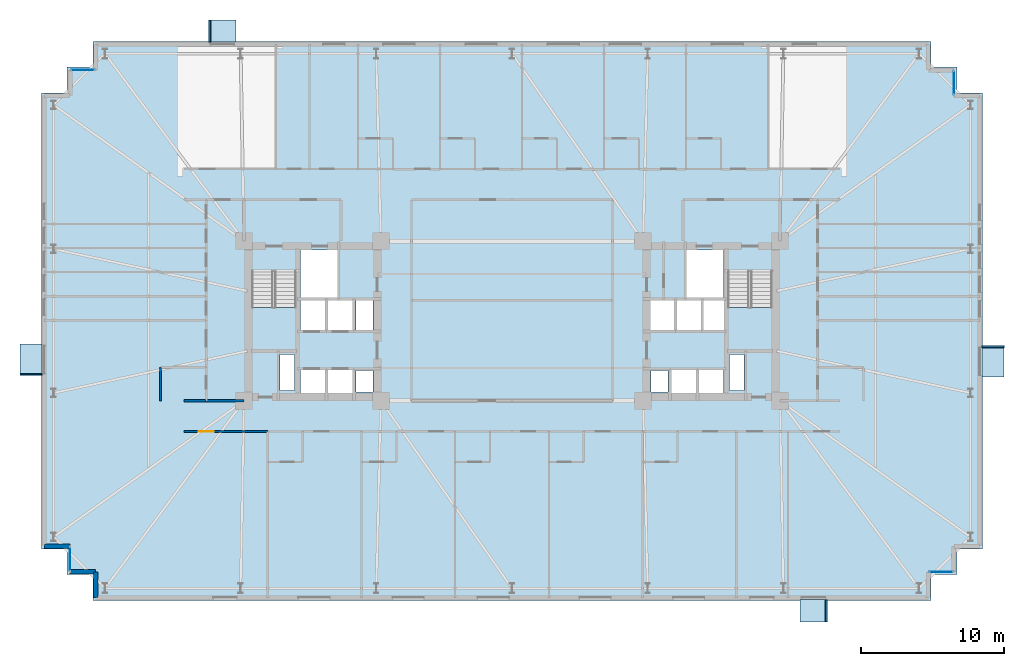
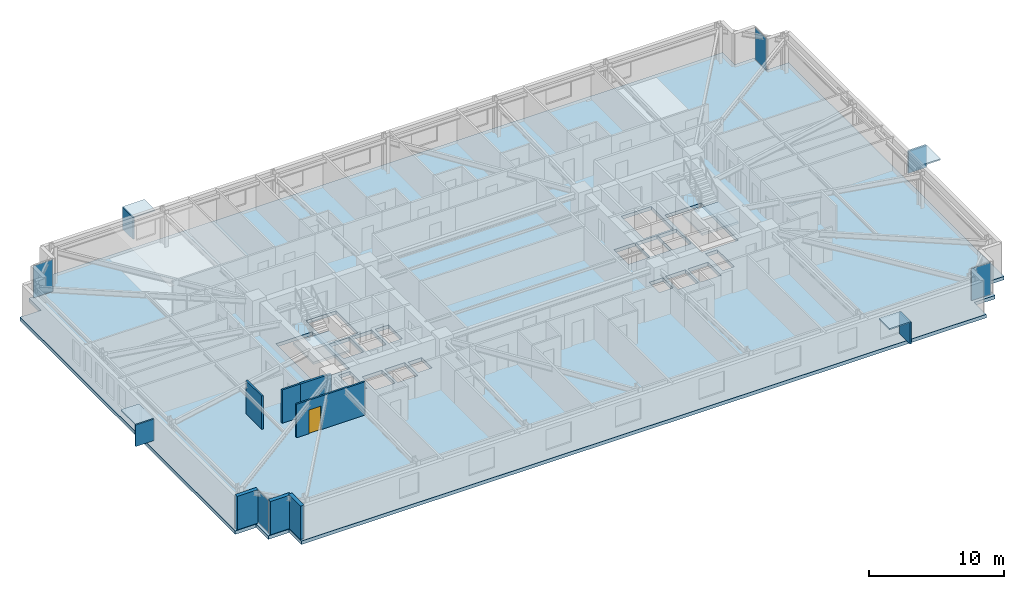
# One storey, part 13 of 22: 12 plates, 7 walls, 3 slabs, 1 door, 1 opening, 6 elements without a shape of their own.
"""IFC4 building model written with IfcOpenShell, lengths in metres."""

from ifc_helpers import new_model, si_unit, direction, frame, frame_2d, origin, origin_2d, place, context, subcontext, project, spatial, polyline, rectangle, outline, extrude, material, layer, layer_set, type_object, element, fill, aggregate, save


model = new_model("IFC4")

# Units and contexts
model_context = context("Model", 3, precision=1e-05, world=origin(), true_north=direction((0.0, 1.0)))
body_context = subcontext(model_context, "Body", "Model", "MODEL_VIEW")
ifc_project = project(units=[si_unit("LENGTHUNIT", "METRE"), si_unit("AREAUNIT", "SQUARE_METRE"), si_unit("VOLUMEUNIT", "CUBIC_METRE"), si_unit("PLANEANGLEUNIT", "RADIAN"), si_unit("MASSUNIT", "GRAM", prefix="KILO")], contexts=[model_context])

# Site, building, storey
site_placement = place(None, origin())
site = spatial("IfcSite", under=ifc_project, at=site_placement, CompositionType="ELEMENT")
building_placement = place(site_placement, origin())
building = spatial("IfcBuilding", under=site, at=building_placement, Name="Qobustan Lattice House", CompositionType="ELEMENT")
storey_placement = place(building_placement, frame((0.0, 0.0, 53.800048828125)))
storey = spatial("IfcBuildingStorey", under=building, at=storey_placement, Name="L14", CompositionType="ELEMENT", Elevation=53.800048828125)

# Curtain wall, plate
ifc_material_1 = material(Name="Anodised aluminium and low-E glazing", Category="aluminium")
ifc_layer_1 = layer(ifc_material_1, 0.219970703125)
ifc_layer_set_1 = layer_set([ifc_layer_1], Name="Anodised aluminium and low-E glazing")
curtain_wall_type = type_object("IfcCurtainWallType", Name="CW-FAC-01", PredefinedType="USERDEFINED", material=ifc_layer_set_1)
curtain_wall_1_placement = place(storey_placement, origin())
curtain_wall_1 = element("IfcCurtainWall", 1, at=curtain_wall_1_placement, inside=storey, type_object=curtain_wall_type, Name="L14 serrated corner faceted glazing 3", ObjectType="CURTAIN WALL", PredefinedType="USERDEFINED")
ifc_material_2 = material(Name="Clear low-E laminated glass", Category="glass")
ifc_layer_2 = layer(ifc_material_2, 0.031982421875)
ifc_layer_set_2 = layer_set([ifc_layer_2], Name="Clear low-E laminated glass")
plate_type_1 = type_object("IfcPlateType", Name="CWP-VISION-32", PredefinedType="CURTAIN_PANEL", material=ifc_layer_set_2)
plate_1_placement = place(storey_placement, frame((-31.0, -16.699951171875, 0.06494140625), z_axis=(0.0, 0.0, 1.0), x_axis=(0.0, 1.0, 0.0)))
plate_1 = element("IfcPlate", 2, at=plate_1_placement, type_object=plate_type_1, Name="CW-F1 panel 1.1", PredefinedType="CURTAIN_PANEL", context=body_context, shape_type="SweptSolid", body=[
    extrude(rectangle(XDim=1.659912109375, YDim=0.031982421875, at=origin_2d()), origin(), (0.0, 0.0, 1.0), 2.905029296875),
])
aggregate(curtain_wall_1, [plate_1])

curtain_wall_2_placement = place(storey_placement, origin())
curtain_wall_2 = element("IfcCurtainWall", 3, at=curtain_wall_2_placement, inside=storey, type_object=curtain_wall_type, Name="L14 serrated corner faceted glazing 8", ObjectType="CURTAIN WALL", PredefinedType="USERDEFINED")
plate_2_placement = place(storey_placement, frame((-30.10009765625, 17.60009765625, 0.06494140625), z_axis=(0.0, 0.0, 1.0), x_axis=(1.0, 0.0, 0.0)))
plate_2 = element("IfcPlate", 4, at=plate_2_placement, type_object=plate_type_1, Name="CW-F1 panel 1.1", PredefinedType="CURTAIN_PANEL", context=body_context, shape_type="SweptSolid", body=[
    extrude(rectangle(XDim=1.659912109375, YDim=0.031982421875, at=origin_2d()), origin(), (0.0, 0.0, 1.0), 2.905029296875),
])
aggregate(curtain_wall_2, [plate_2])

curtain_wall_3_placement = place(storey_placement, origin())
curtain_wall_3 = element("IfcCurtainWall", 5, at=curtain_wall_3_placement, inside=storey, type_object=curtain_wall_type, Name="L14 serrated corner faceted glazing 13", ObjectType="CURTAIN WALL", PredefinedType="USERDEFINED")
plate_3_placement = place(storey_placement, frame((31.0, 16.699951171875, 0.06494140625), z_axis=(0.0, 0.0, 1.0), x_axis=(0.0, -1.0, 0.0)))
plate_3 = element("IfcPlate", 6, at=plate_3_placement, type_object=plate_type_1, Name="CW-F1 panel 1.1", PredefinedType="CURTAIN_PANEL", context=body_context, shape_type="SweptSolid", body=[
    extrude(rectangle(XDim=1.659912109375, YDim=0.031982421875, at=origin_2d()), origin(), (0.0, 0.0, 1.0), 2.905029296875),
])
aggregate(curtain_wall_3, [plate_3])

curtain_wall_4_placement = place(storey_placement, origin())
curtain_wall_4 = element("IfcCurtainWall", 7, at=curtain_wall_4_placement, inside=storey, type_object=curtain_wall_type, Name="L14 serrated corner faceted glazing 18", ObjectType="CURTAIN WALL", PredefinedType="USERDEFINED")
plate_4_placement = place(storey_placement, frame((30.10009765625, -17.60009765625, 0.06494140625), z_axis=(0.0, 0.0, 1.0), x_axis=(-1.0, 0.0, 0.0)))
plate_4 = element("IfcPlate", 8, at=plate_4_placement, type_object=plate_type_1, Name="CW-F1 panel 1.1", PredefinedType="CURTAIN_PANEL", context=body_context, shape_type="SweptSolid", body=[
    extrude(rectangle(XDim=1.659912109375, YDim=0.031982421875, at=origin_2d()), origin(), (0.0, 0.0, 1.0), 2.905029296875),
])
aggregate(curtain_wall_4, [plate_4])

# Plates
ifc_material_3 = material(Name="Qobustan limestone GFRC", Category="masonry")
ifc_layer_3 = layer(ifc_material_3, 0.1201171875)
ifc_layer_set_3 = layer_set([ifc_layer_3], Name="Qobustan limestone GFRC")
plate_type_2 = type_object("IfcPlateType", Name="SHD-HOOD-BROW", PredefinedType="USERDEFINED", material=ifc_layer_set_3)
plate_5_placement = place(storey_placement, frame((-33.72998046875, -2.719970703125, 2.699951171875), z_axis=(0.0, 0.0, 1.0), x_axis=(0.0, 1.0, 0.0)))
element("IfcPlate", 9, at=plate_5_placement, inside=storey, type_object=plate_type_2, Name="L14 splayed Qobustan stone hood brow", ObjectType="SUNSHADE", PredefinedType="USERDEFINED", context=body_context, shape_type="SweptSolid", body=[
    extrude(rectangle(XDim=2.18994140625, YDim=1.56005859375, at=origin_2d()), origin(), (0.0, 0.0, 1.0), 0.1201171875),
])
plate_6_placement = place(storey_placement, frame((-33.72998046875, -3.7548828125, 0.7900390625), z_axis=(0.0, 0.0, 1.0), x_axis=(0.0, 1.0, 0.0)))
element("IfcPlate", 10, at=plate_6_placement, inside=storey, type_object=plate_type_2, Name="L14 splayed Qobustan stone hood cheek", ObjectType="SUNSHADE", PredefinedType="USERDEFINED", context=body_context, shape_type="SweptSolid", body=[
    extrude(rectangle(XDim=0.1201171875, YDim=1.56005859375, at=origin_2d()), origin(), (0.0, 0.0, 1.0), 1.969970703125),
])
plate_7_placement = place(storey_placement, frame((-20.3095703125, 20.330078125, 2.699951171875), z_axis=(0.0, 0.0, 1.0), x_axis=(1.0, 0.0, 0.0)))
element("IfcPlate", 11, at=plate_7_placement, inside=storey, type_object=plate_type_2, Name="L14 splayed Qobustan stone hood brow", ObjectType="SUNSHADE", PredefinedType="USERDEFINED", context=body_context, shape_type="SweptSolid", body=[
    extrude(rectangle(XDim=1.889892578125, YDim=1.56005859375, at=origin_2d()), origin(), (0.0, 0.0, 1.0), 0.1201171875),
])
plate_8_placement = place(storey_placement, frame((-21.194580078125, 20.330078125, 0.7900390625), z_axis=(0.0, 0.0, 1.0), x_axis=(1.0, 0.0, 0.0)))
element("IfcPlate", 12, at=plate_8_placement, inside=storey, type_object=plate_type_2, Name="L14 splayed Qobustan stone hood cheek", ObjectType="SUNSHADE", PredefinedType="USERDEFINED", context=body_context, shape_type="SweptSolid", body=[
    extrude(rectangle(XDim=0.1201171875, YDim=1.56005859375, at=origin_2d()), origin(), (0.0, 0.0, 1.0), 1.969970703125),
])
plate_9_placement = place(storey_placement, frame((33.72998046875, -2.840087890625, 2.699951171875), z_axis=(0.0, 0.0, 1.0), x_axis=(0.0, -1.0, 0.0)))
element("IfcPlate", 13, at=plate_9_placement, inside=storey, type_object=plate_type_2, Name="L14 splayed Qobustan stone hood brow", ObjectType="SUNSHADE", PredefinedType="USERDEFINED", context=body_context, shape_type="SweptSolid", body=[
    extrude(rectangle(XDim=2.18994140625, YDim=1.56005859375, at=origin_2d()), origin(), (0.0, 0.0, 1.0), 0.1201171875),
])
plate_10_placement = place(storey_placement, frame((33.72998046875, -1.804931640625, 0.7900390625), z_axis=(0.0, 0.0, 1.0), x_axis=(0.0, -1.0, 0.0)))
element("IfcPlate", 14, at=plate_10_placement, inside=storey, type_object=plate_type_2, Name="L14 splayed Qobustan stone hood cheek", ObjectType="SUNSHADE", PredefinedType="USERDEFINED", context=body_context, shape_type="SweptSolid", body=[
    extrude(rectangle(XDim=0.1201171875, YDim=1.56005859375, at=origin_2d()), origin(), (0.0, 0.0, 1.0), 1.969970703125),
])
plate_11_placement = place(storey_placement, frame((21.159912109375, -20.330078125, 2.699951171875), z_axis=(0.0, 0.0, 1.0), x_axis=(-1.0, 0.0, 0.0)))
element("IfcPlate", 15, at=plate_11_placement, inside=storey, type_object=plate_type_2, Name="L14 splayed Qobustan stone hood brow", ObjectType="SUNSHADE", PredefinedType="USERDEFINED", context=body_context, shape_type="SweptSolid", body=[
    extrude(rectangle(XDim=1.889892578125, YDim=1.56005859375, at=origin_2d()), origin(), (0.0, 0.0, 1.0), 0.1201171875),
])
plate_12_placement = place(storey_placement, frame((22.044921875, -20.330078125, 0.7900390625), z_axis=(0.0, 0.0, 1.0), x_axis=(-1.0, 0.0, 0.0)))
element("IfcPlate", 16, at=plate_12_placement, inside=storey, type_object=plate_type_2, Name="L14 splayed Qobustan stone hood cheek", ObjectType="SUNSHADE", PredefinedType="USERDEFINED", context=body_context, shape_type="SweptSolid", body=[
    extrude(rectangle(XDim=0.1201171875, YDim=1.56005859375, at=origin_2d()), origin(), (0.0, 0.0, 1.0), 1.969970703125),
])

# Slab
ifc_material_4 = material(Name="Concrete C40/50", Category="concrete")
ifc_layer_4 = layer(ifc_material_4, 0.31494140625)
ifc_layer_set_4 = layer_set([ifc_layer_4], Name="Concrete C40/50")
slab_type_1 = type_object("IfcSlabType", Name="SLB-FLR-315", PredefinedType="FLOOR", material=ifc_layer_set_4)
slab_1_placement = place(storey_placement, frame((0.0, 0.0, -0.31494140625)))
element("IfcSlab", 17, at=slab_1_placement, inside=storey, type_object=slab_type_1, Name="L14 structural floor slab", PredefinedType="FLOOR", context=body_context, shape_type="SweptSolid", body=[
    extrude(outline(polyline([(-29.39990234375, -19.60009765625), (29.39990234375, -19.60009765625), (29.39990234375, -17.800048828125), (31.199951171875, -17.800048828125), (31.199951171875, -16.0), (33.0, -16.0), (33.0, 16.0), (31.199951171875, 16.0), (31.199951171875, 17.800048828125), (29.39990234375, 17.800048828125), (29.39990234375, 19.60009765625), (-29.39990234375, 19.60009765625), (-29.39990234375, 17.800048828125), (-31.199951171875, 17.800048828125), (-31.199951171875, 16.0), (-33.0, 16.0), (-33.0, -16.0), (-31.199951171875, -16.0), (-31.199951171875, -17.800048828125), (-29.39990234375, -17.800048828125), (-29.39990234375, -19.60009765625)]), holes=[polyline([(-18.25, -2.050048828125), (-18.25, 3.489990234375), (-15.1298828125, 3.489990234375), (-15.1298828125, -2.050048828125), (-18.25, -2.050048828125)]), polyline([(15.1298828125, -2.050048828125), (15.1298828125, 3.489990234375), (18.25, 3.489990234375), (18.25, -2.050048828125), (15.1298828125, -2.050048828125)]), polyline([(-14.820068359375, 1.64990234375), (-14.820068359375, 4.9599609375), (-12.25, 4.9599609375), (-12.25, 1.64990234375), (-14.820068359375, 1.64990234375)]), polyline([(12.25, 1.64990234375), (12.25, 4.9599609375), (14.820068359375, 4.9599609375), (14.820068359375, 1.64990234375), (12.25, 1.64990234375)]), polyline([(-16.260009765625, -4.8798828125), (-16.260009765625, -2.360107421875), (-15.260009765625, -2.360107421875), (-15.260009765625, -4.8798828125), (-16.260009765625, -4.8798828125)]), polyline([(15.260009765625, -4.8798828125), (15.260009765625, -2.360107421875), (16.260009765625, -2.360107421875), (16.260009765625, -4.8798828125), (15.260009765625, -4.8798828125)]), polyline([(-14.85009765625, -5.35009765625), (-14.85009765625, -3.419921875), (-13.1201171875, -3.419921875), (-13.1201171875, -5.35009765625), (-14.85009765625, -5.35009765625)]), polyline([(-12.919921875, -5.35009765625), (-12.919921875, -3.419921875), (-11.179931640625, -3.419921875), (-11.179931640625, -5.35009765625), (-12.919921875, -5.35009765625)]), polyline([(-14.85009765625, -0.679931640625), (-14.85009765625, 1.47998046875), (-13.1201171875, 1.47998046875), (-13.1201171875, -0.679931640625), (-14.85009765625, -0.679931640625)]), polyline([(-12.919921875, -0.679931640625), (-12.919921875, 1.47998046875), (-11.179931640625, 1.47998046875), (-11.179931640625, -0.679931640625), (-12.919921875, -0.679931640625)]), polyline([(-10.93994140625, -5.0), (-10.93994140625, -3.47998046875), (-9.760009765625, -3.47998046875), (-9.760009765625, -5.0), (-10.93994140625, -5.0)]), polyline([(-10.93994140625, -0.6201171875), (-10.93994140625, 1.419921875), (-9.760009765625, 1.419921875), (-9.760009765625, -0.6201171875), (-10.93994140625, -0.6201171875)]), polyline([(11.179931640625, -5.35009765625), (11.179931640625, -3.419921875), (12.919921875, -3.419921875), (12.919921875, -5.35009765625), (11.179931640625, -5.35009765625)]), polyline([(13.1201171875, -5.35009765625), (13.1201171875, -3.419921875), (14.85009765625, -3.419921875), (14.85009765625, -5.35009765625), (13.1201171875, -5.35009765625)]), polyline([(9.760009765625, -5.0), (9.760009765625, -3.47998046875), (10.93994140625, -3.47998046875), (10.93994140625, -5.0), (9.760009765625, -5.0)]), polyline([(13.360107421875, -0.679931640625), (13.360107421875, 1.47998046875), (14.97998046875, 1.47998046875), (14.97998046875, -0.679931640625), (13.360107421875, -0.679931640625)]), polyline([(9.6201171875, -0.679931640625), (9.6201171875, 1.47998046875), (11.43994140625, 1.47998046875), (11.43994140625, -0.679931640625), (9.6201171875, -0.679931640625)]), polyline([(11.5, -0.679931640625), (11.5, 1.47998046875), (13.320068359375, 1.47998046875), (13.320068359375, -0.679931640625), (11.5, -0.679931640625)])]), origin(), (0.0, 0.0, 1.0), 0.31494140625),
])

# Stair, slab
ifc_material_5 = material(Name="Concrete C40/50", Category="concrete")
stair_type = type_object("IfcStairType", Name="STR-CORE-DOGLEG", PredefinedType="HALF_TURN_STAIR", material=ifc_material_5)
stair_1_placement = place(storey_placement, origin())
stair_1 = element("IfcStair", 18, at=stair_1_placement, inside=storey, type_object=stair_type, Name="L14 West protected exit stair ST-W1", PredefinedType="HALF_TURN_STAIR")
ifc_material_6 = material(Name="Concrete C40/50", Category="concrete")
ifc_layer_5 = layer(ifc_material_6, 0.199951171875)
ifc_layer_set_5 = layer_set([ifc_layer_5], Name="Concrete C40/50")
slab_type_2 = type_object("IfcSlabType", Name="SLB-LANDING-200", PredefinedType="LANDING", material=ifc_layer_set_5)
slab_2_placement = place(storey_placement, frame((0.0, 0.0, 1.474853515625)))
slab_2 = element("IfcSlab", 19, at=slab_2_placement, type_object=slab_type_2, Name="ST-W1 landing 1", PredefinedType="LANDING", context=body_context, shape_type="SweptSolid", body=[
    extrude(outline(polyline([(-18.25, 0.93505859375), (-18.25, -2.050048828125), (-15.1298828125, -2.050048828125), (-15.1298828125, 0.93505859375), (-18.25, 0.93505859375)])), origin(), (0.0, 0.0, 1.0), 0.2001953125),
])
aggregate(stair_1, [slab_2])

stair_2_placement = place(storey_placement, origin())
stair_2 = element("IfcStair", 20, at=stair_2_placement, inside=storey, type_object=stair_type, Name="L14 East protected exit stair ST-E1", PredefinedType="HALF_TURN_STAIR")
slab_3_placement = place(storey_placement, frame((0.0, 0.0, 1.474853515625)))
slab_3 = element("IfcSlab", 21, at=slab_3_placement, type_object=slab_type_2, Name="ST-E1 landing 1", PredefinedType="LANDING", context=body_context, shape_type="SweptSolid", body=[
    extrude(outline(polyline([(15.1298828125, 0.93505859375), (15.1298828125, -2.050048828125), (18.25, -2.050048828125), (18.25, 0.93505859375), (15.1298828125, 0.93505859375)])), origin(), (0.0, 0.0, 1.0), 0.2001953125),
])
aggregate(stair_2, [slab_3])

# Walls
ifc_material_7 = material(Name="Precast concrete C40/50", Category="concrete")
ifc_layer_6 = layer(ifc_material_7, 0.320068359375)
ifc_layer_set_6 = layer_set([ifc_layer_6], Name="Precast concrete C40/50")
wall_type_1 = type_object("IfcWallType", Name="WAL-EXT-STONE-320", PredefinedType="SOLIDWALL", material=ifc_layer_set_6)
wall_1_placement = place(storey_placement, frame((-29.199951171875, -19.39990234375, 0.0), z_axis=(0.0, 0.0, 1.0), x_axis=(0.0, 1.0, 0.0)))
element("IfcWall", 22, at=wall_1_placement, inside=storey, type_object=wall_type_1, Name="L14 exterior limestone-clad wall 1", PredefinedType="SOLIDWALL", context=body_context, shape_type="SweptSolid", body=[
    extrude(rectangle(XDim=1.7998046875, YDim=0.320068359375, at=frame_2d((0.89990234375, 0.0))), origin(), (0.0, 0.0, 1.0), 3.034912109375),
])
for number, where, z_axis, x_axis, name in (
    (23, (-29.199951171875, -17.60009765625, 0.0), (0.0, 0.0, 1.0), (-1.0, 0.0, 0.0), "L14 exterior limestone-clad wall 2"),
    (24, (-31.0, -15.800048828125, 0.0), (0.0, 0.0, 1.0), (-1.0, 0.0, 0.0), "L14 exterior limestone-clad wall 4"),
):
    element("IfcWall", number, at=place(storey_placement, frame(where, z_axis=z_axis, x_axis=x_axis)), inside=storey, type_object=wall_type_1, Name=name, PredefinedType="SOLIDWALL", context=body_context, shape_type="SweptSolid", body=[
        extrude(rectangle(XDim=1.800048828125, YDim=0.320068359375, at=frame_2d((0.89990234375, 0.0))), origin(), (0.0, 0.0, 1.0), 3.034912109375),
    ])
ifc_material_8 = material(Name="Gypsum fireboard acoustic partition", Category="gypsum")
ifc_layer_7 = layer(ifc_material_8, 0.179931640625)
ifc_layer_set_7 = layer_set([ifc_layer_7], Name="Gypsum fireboard acoustic partition")
wall_type_2 = type_object("IfcWallType", Name="WAL-FIRE-180", PredefinedType="PARTITIONING", material=ifc_layer_set_7)
wall_2_placement = place(storey_placement, frame((-21.449951171875, -5.60009765625, 0.0), z_axis=(0.0, 0.0, 1.0), x_axis=(1.0, 0.0, 0.0)))
element("IfcWall", 25, at=wall_2_placement, inside=storey, type_object=wall_type_2, Name="L14 interior partition 57", PredefinedType="PARTITIONING", context=body_context, shape_type="SweptSolid", body=[
    extrude(rectangle(XDim=2.64990234375, YDim=0.179931640625, at=frame_2d((1.324951171875, 0.0))), origin(), (0.0, 0.0, 1.0), 3.034912109375),
])

# Wall, opening, door
ifc_material_9 = material(Name="Acoustic twin-stud gypsum partition", Category="gypsum")
ifc_layer_8 = layer(ifc_material_9, 0.14990234375)
ifc_layer_set_8 = layer_set([ifc_layer_8], Name="Acoustic twin-stud gypsum partition")
wall_type_3 = type_object("IfcWallType", Name="WAL-PART-150", PredefinedType="PARTITIONING", material=ifc_layer_set_8)
wall_3_placement = place(storey_placement, frame((-17.12890625, -7.75, 0.0), z_axis=(0.0, 0.0, 1.0), x_axis=(-1.0, 0.0, 0.0)))
wall_3 = element("IfcWall", 26, at=wall_3_placement, inside=storey, type_object=wall_type_3, Name="L14 interior partition 59", PredefinedType="PARTITIONING", context=body_context, shape_type="SweptSolid", body=[
    extrude(rectangle(XDim=5.87109375, YDim=0.14990234375, at=frame_2d((2.935546875, 0.0))), origin(), (0.0, 0.0, 1.0), 3.034912109375),
])
opening_placement = place(wall_3_placement, frame((3.783447265625, 0.0, 0.0)))
opening = element("IfcOpeningElement", 27, at=opening_placement, cuts=wall_3, Name="Opening ID-02", PredefinedType="OPENING", context=body_context, shape_type="SweptSolid", body=[
    extrude(rectangle(XDim=1.050048828125, YDim=2.14990234375, at=frame_2d((0.52490234375, 1.074951171875))), frame((0.0, 0.0849609375, 0.0), z_axis=(0.0, -1.0, 0.0), x_axis=(1.0, 0.0, 0.0)), (0.0, 0.0, 1.0), 0.169921875),
])
ifc_material_10 = material(Name="Persian walnut timber and steel frame door", Category="steel")
door_type = type_object("IfcDoorType", Name="DOR-STUDY-1050x2150", OperationType="NOTDEFINED", PredefinedType="DOOR", material=ifc_material_10)
door_placement = place(opening_placement, origin())
door = element("IfcDoor", 28, at=door_placement, inside=storey, type_object=door_type, Name="L14 South-west floor corridor to Focus study room S1 door", OperationType="SINGLE_SWING_LEFT", OverallHeight=2.14990234375, OverallWidth=1.050048828125, PredefinedType="DOOR", context=body_context, shape_type="SweptSolid", body=[
    extrude(rectangle(XDim=1.050048828125, YDim=2.14990234375, at=frame_2d((0.52490234375, 1.074951171875))), frame((0.0, 0.02490234375, 0.0), z_axis=(0.0, -1.0, 0.0), x_axis=(1.0, 0.0, 0.0)), (0.0, 0.0, 1.0), 0.050048828125),
])
fill(opening, door)

# Walls
ifc_material_11 = material(Name="Moisture-resistant acoustic plumbing wall", Category="gypsum")
ifc_layer_9 = layer(ifc_material_11, 0.14990234375)
ifc_layer_set_9 = layer_set([ifc_layer_9], Name="Moisture-resistant acoustic plumbing wall")
wall_type_4 = type_object("IfcWallType", Name="WAL-WET-150", PredefinedType="PLUMBINGWALL", material=ifc_layer_set_9)
wall_4_placement = place(storey_placement, frame((-23.0, -5.60009765625, 0.0), z_axis=(0.0, 0.0, 1.0), x_axis=(1.0, 0.0, 0.0)))
element("IfcWall", 29, at=wall_4_placement, inside=storey, type_object=wall_type_4, Name="L14 interior partition 58", PredefinedType="PLUMBINGWALL", context=body_context, shape_type="SweptSolid", body=[
    extrude(rectangle(XDim=1.550048828125, YDim=0.14990234375, at=frame_2d((0.77490234375, 0.0))), origin(), (0.0, 0.0, 1.0), 3.034912109375),
])
wall_5_placement = place(storey_placement, frame((-24.64990234375, -5.60009765625, 0.0), z_axis=(0.0, 0.0, 1.0), x_axis=(0.0, 1.0, 0.0)))
element("IfcWall", 30, at=wall_5_placement, inside=storey, type_object=wall_type_4, Name="L14 interior partition 89", PredefinedType="PLUMBINGWALL", context=body_context, shape_type="SweptSolid", body=[
    extrude(rectangle(XDim=2.35009765625, YDim=0.14990234375, at=frame_2d((1.175048828125, 0.0))), origin(), (0.0, 0.0, 1.0), 3.034912109375),
])

save(model, "model.ifc")
